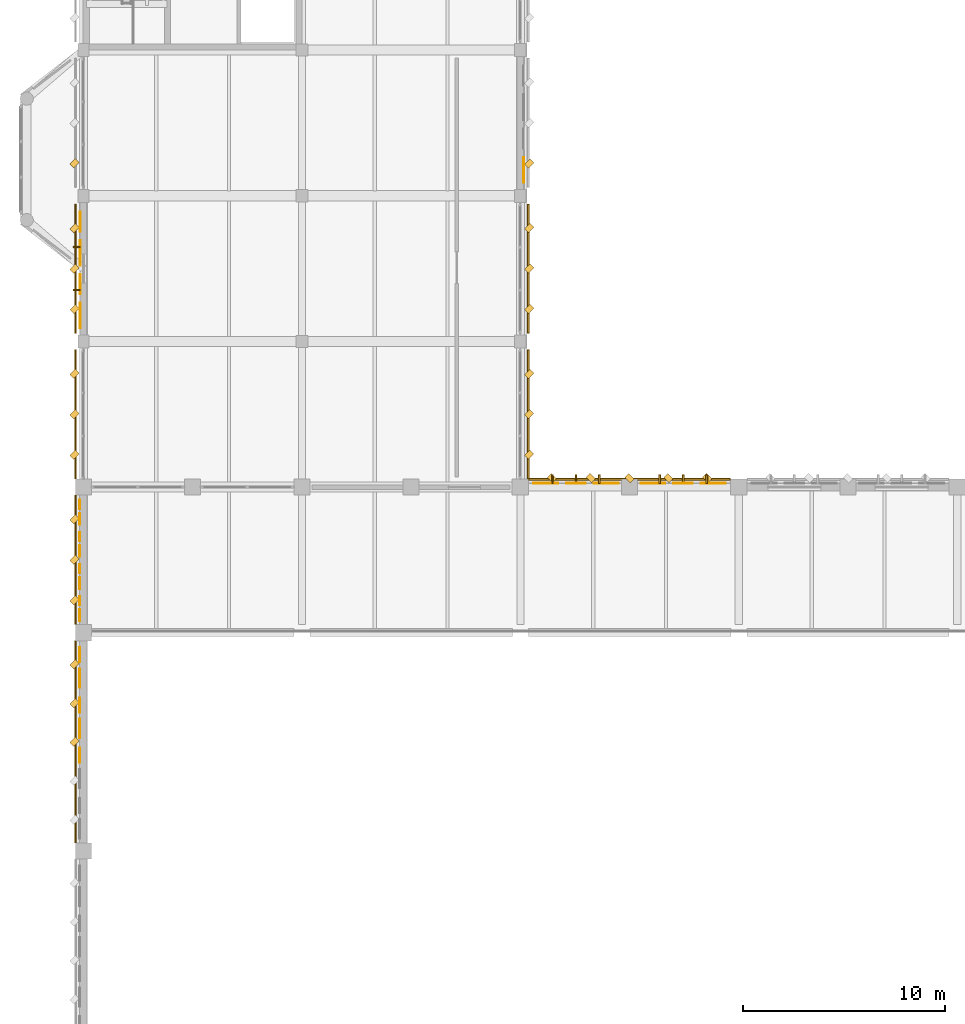
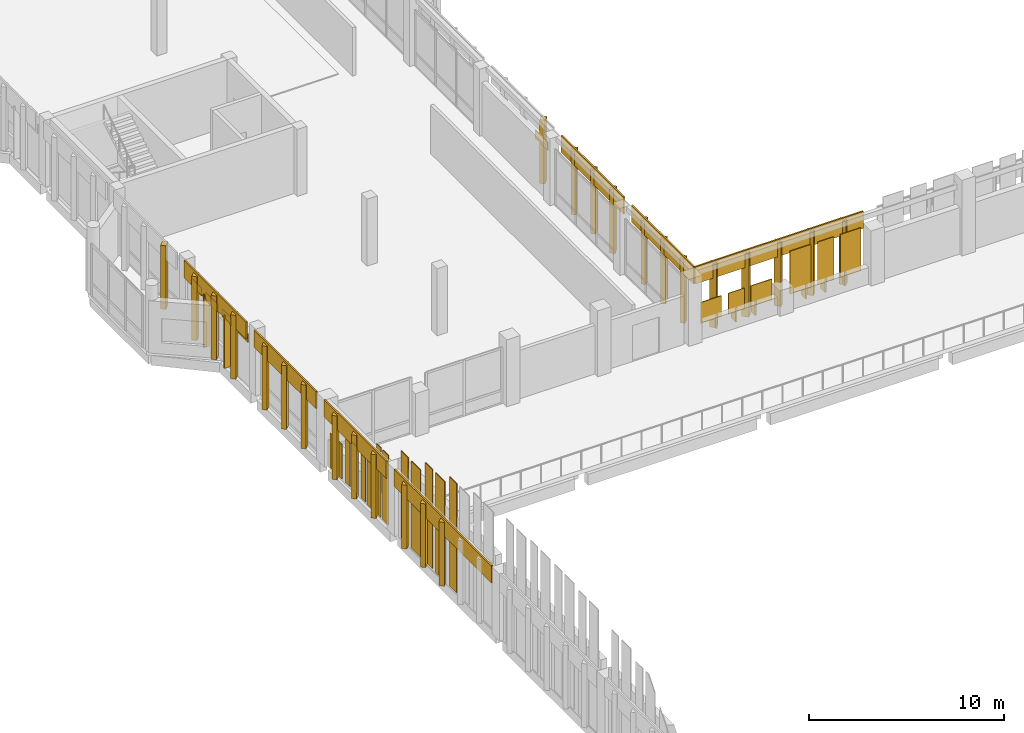
# One storey, part 141 of 158: 64 coverings.
"""IFC4 building model written with IfcOpenShell, lengths in metres."""

from ifc_helpers import new_model, si_unit, direction, frame, origin, origin_2d, place, context, subcontext, project, spatial, rectangle, extrude, material, layer, layer_set, type_object, element, save


model = new_model("IFC4")

# Units and contexts
model_context = context("Model", 3, precision=1e-05, world=origin(), true_north=direction((0.0, 1.0)))
body_context = subcontext(model_context, "Body", "Model", "MODEL_VIEW")
ifc_project = project(units=[si_unit("LENGTHUNIT", "METRE"), si_unit("AREAUNIT", "SQUARE_METRE"), si_unit("VOLUMEUNIT", "CUBIC_METRE"), si_unit("PLANEANGLEUNIT", "RADIAN"), si_unit("MASSUNIT", "GRAM", prefix="KILO")], contexts=[model_context])

# Site, building, storey
site_placement = place(None, origin())
site = spatial("IfcSite", under=ifc_project, at=site_placement, CompositionType="ELEMENT")
building_placement = place(site_placement, origin())
building = spatial("IfcBuilding", under=site, at=building_placement, Name="Lusvemor Sports Hall", CompositionType="ELEMENT")
storey_placement = place(building_placement, frame((0.0, 0.0, 10.800048828125)))
storey = spatial("IfcBuildingStorey", under=building, at=storey_placement, Name="L02", CompositionType="ELEMENT", Elevation=10.800048828125)

# Coverings
ifc_material_1 = material(Name="Emerald polychrome glazed ceramic cladding on Concrete C40/50 backing", Category="concrete")
ifc_layer_1 = layer(ifc_material_1, 0.0458984375)
ifc_layer_set_1 = layer_set([ifc_layer_1], Name="Emerald polychrome glazed ceramic cladding on Concrete C40/50 backing")
covering_type_1 = type_object("IfcCoveringType", Name="CLAD_WAVE_EMERALD", PredefinedType="CLADDING", material=ifc_layer_set_1)
for number, where, z_axis, x_axis, name in (
    (1, (22.856689453125, 46.990478515625, 0.746337890625), (0.0, 0.0, 1.0), (1.0, 0.0, 0.0), "Art Nouveau Patterned Cladding PS-WAVEN-2-1-1"),
    (2, (25.84326171875, 46.990478515625, 0.746337890625), (0.0, 0.0, 1.0), (1.0, 0.0, 0.0), "Art Nouveau Patterned Cladding PS-WAVEN-2-1-3"),
):
    element("IfcCovering", number, at=place(storey_placement, frame(where, z_axis=z_axis, x_axis=x_axis)), inside=storey, type_object=covering_type_1, Name=name, PredefinedType="CLADDING", context=body_context, shape_type="SweptSolid", body=[
        extrude(rectangle(XDim=1.224609375, YDim=0.0458984375, at=origin_2d()), origin(), (0.0, 0.0, 1.0), 1.3056640625),
    ])
for number, where, z_axis, x_axis, name in (
    (3, (28.15673828125, 46.990478515625, 0.7236328125), (0.0, 0.0, 1.0), (1.0, 0.0, 0.0), "Art Nouveau Patterned Cladding PS-WAVEN-2-2-1"),
    (4, (31.143310546875, 46.990478515625, 0.7236328125), (0.0, 0.0, 1.0), (1.0, 0.0, 0.0), "Art Nouveau Patterned Cladding PS-WAVEN-2-2-3"),
):
    element("IfcCovering", number, at=place(storey_placement, frame(where, z_axis=z_axis, x_axis=x_axis)), inside=storey, type_object=covering_type_1, Name=name, PredefinedType="CLADDING", context=body_context, shape_type="SweptSolid", body=[
        extrude(rectangle(XDim=1.224609375, YDim=0.0458984375, at=origin_2d()), origin(), (0.0, 0.0, 1.0), 2.690185546875),
    ])
covering_1_placement = place(storey_placement, frame((-0.1904296875, 34.861083984375, 0.080078125), z_axis=(0.0, 0.0, 1.0), x_axis=(1.0, 0.0, 0.0)))
element("IfcCovering", 5, at=covering_1_placement, inside=storey, type_object=covering_type_1, Name="Art Nouveau Patterned Cladding PS-V1WTY-4-2-1", PredefinedType="CLADDING", context=body_context, shape_type="SweptSolid", body=[
    extrude(rectangle(XDim=0.0458984375, YDim=0.953125, at=origin_2d()), origin(), (0.0, 0.0, 1.0), 6.217041015625),
])
covering_2_placement = place(storey_placement, frame((-0.1904296875, 37.34619140625, 0.080078125), z_axis=(0.0, 0.0, 1.0), x_axis=(1.0, 0.0, 0.0)))
element("IfcCovering", 6, at=covering_2_placement, inside=storey, type_object=covering_type_1, Name="Art Nouveau Patterned Cladding PS-V1WTY-4-3-1", PredefinedType="CLADDING", context=body_context, shape_type="SweptSolid", body=[
    extrude(rectangle(XDim=0.0458984375, YDim=0.953125, at=origin_2d()), origin(), (0.0, 0.0, 1.0), 5.441650390625),
])
covering_3_placement = place(storey_placement, frame((-0.1904296875, 40.46630859375, 0.079833984375), z_axis=(0.0, 0.0, 1.0), x_axis=(1.0, 0.0, 0.0)))
element("IfcCovering", 7, at=covering_3_placement, inside=storey, type_object=covering_type_1, Name="Art Nouveau Patterned Cladding PS-V1WTY-5-0-1", PredefinedType="CLADDING", context=body_context, shape_type="SweptSolid", body=[
    extrude(rectangle(XDim=0.0458984375, YDim=0.584228515625, at=origin_2d()), origin(), (0.0, 0.0, 1.0), 4.35546875),
])
covering_4_placement = place(storey_placement, frame((-0.1904296875, 42.05126953125, 0.080078125), z_axis=(0.0, 0.0, 1.0), x_axis=(1.0, 0.0, 0.0)))
element("IfcCovering", 8, at=covering_4_placement, inside=storey, type_object=covering_type_1, Name="Art Nouveau Patterned Cladding PS-V1WTY-5-1-1", PredefinedType="CLADDING", context=body_context, shape_type="SweptSolid", body=[
    extrude(rectangle(XDim=0.0458984375, YDim=0.584228515625, at=origin_2d()), origin(), (0.0, 0.0, 1.0), 3.677490234375),
])
covering_5_placement = place(storey_placement, frame((-0.1904296875, 43.63623046875, 0.079833984375), z_axis=(0.0, 0.0, 1.0), x_axis=(1.0, 0.0, 0.0)))
element("IfcCovering", 9, at=covering_5_placement, inside=storey, type_object=covering_type_1, Name="Art Nouveau Patterned Cladding PS-V1WTY-5-2-1", PredefinedType="CLADDING", context=body_context, shape_type="SweptSolid", body=[
    extrude(rectangle(XDim=0.0458984375, YDim=0.584228515625, at=origin_2d()), origin(), (0.0, 0.0, 1.0), 2.9404296875),
])
covering_6_placement = place(storey_placement, frame((-0.1904296875, 45.22119140625, 0.080078125), z_axis=(0.0, 0.0, 1.0), x_axis=(1.0, 0.0, 0.0)))
element("IfcCovering", 10, at=covering_6_placement, inside=storey, type_object=covering_type_1, Name="Art Nouveau Patterned Cladding PS-V1WTY-5-3-1", PredefinedType="CLADDING", context=body_context, shape_type="SweptSolid", body=[
    extrude(rectangle(XDim=0.0458984375, YDim=0.584228515625, at=origin_2d()), origin(), (0.0, 0.0, 1.0), 2.144287109375),
])
for number, where, z_axis, x_axis, name in (
    (11, (-0.16552734375, 55.27490234375, 2.7451171875), (0.0, 0.0, 1.0), (1.0, 0.0, 0.0), "Art Nouveau Patterned Cladding PS-EW-L02-W-0-1-1"),
    (12, (-0.16552734375, 58.375, 2.7451171875), (0.0, 0.0, 1.0), (1.0, 0.0, 0.0), "Art Nouveau Patterned Cladding PS-EW-L02-W-0-1-3"),
    (13, (21.765380859375, 62.47509765625, 2.7451171875), (0.0, 0.0, 1.0), (1.0, 0.0, 0.0), "Art Nouveau Patterned Cladding PS-EW-L02-E-5-2-1"),
):
    element("IfcCovering", number, at=place(storey_placement, frame(where, z_axis=z_axis, x_axis=x_axis)), inside=storey, type_object=covering_type_1, Name=name, PredefinedType="CLADDING", context=body_context, shape_type="SweptSolid", body=[
        extrude(rectangle(XDim=0.0458984375, YDim=1.27099609375, at=origin_2d()), origin(), (0.0, 0.0, 1.0), 0.510009765625),
    ])
for number, where, z_axis, x_axis, name in (
    (14, (-0.43994140625, 36.1201171875, 0.099853515625), (0.0, 0.0, 1.0), (0.707106781187, 0.707106781187, 0.0), "Patterned Diamond Cladding Rib 965"),
    (15, (-0.43994140625, 43.199951171875, 0.099853515625), (0.0, 0.0, 1.0), (0.707106781187, 0.707106781187, 0.0), "Patterned Diamond Cladding Rib 977"),
    (16, (-0.43994140625, 50.39990234375, 0.099853515625), (0.0, 0.0, 1.0), (0.707106781187, 0.707106781187, 0.0), "Patterned Diamond Cladding Rib 995"),
    (17, (-0.43994140625, 57.60009765625, 0.099853515625), (0.0, 0.0, 1.0), (0.707106781187, 0.707106781187, 0.0), "Patterned Diamond Cladding Rib 1011"),
    (18, (22.0400390625, 50.39990234375, 0.099853515625), (0.0, 0.0, 1.0), (0.707106781187, 0.707106781187, 0.0), "Patterned Diamond Cladding Rib 1397"),
    (19, (22.0400390625, 57.60009765625, 0.099853515625), (0.0, 0.0, 1.0), (0.707106781187, 0.707106781187, 0.0), "Patterned Diamond Cladding Rib 1409"),
):
    element("IfcCovering", number, at=place(storey_placement, frame(where, z_axis=z_axis, x_axis=x_axis)), inside=storey, type_object=covering_type_1, Name=name, PredefinedType="CLADDING", context=body_context, shape_type="SweptSolid", body=[
        extrude(rectangle(XDim=0.3798828125, YDim=0.280029296875, at=origin_2d()), origin(), (0.0, 0.0, 1.0), 4.0),
    ])
for number, where, z_axis, x_axis, name in (
    (20, (25.080078125, 47.239990234375, 0.099853515625), (0.0, 0.0, 1.0), (0.707106781187, 0.707106781187, 0.0), "Patterned Diamond Cladding Rib 1492"),
    (21, (28.919921875, 47.239990234375, 0.099853515625), (0.0, 0.0, 1.0), (0.707106781187, 0.707106781187, 0.0), "Patterned Diamond Cladding Rib 1494"),
):
    element("IfcCovering", number, at=place(storey_placement, frame(where, z_axis=z_axis, x_axis=x_axis)), inside=storey, type_object=covering_type_1, Name=name, PredefinedType="CLADDING", context=body_context, shape_type="SweptSolid", body=[
        extrude(rectangle(XDim=0.280029296875, YDim=0.3798828125, at=origin_2d()), origin(), (0.0, 0.0, 1.0), 4.0),
    ])
ifc_material_2 = material(Name="Warm terracotta Art Nouveau ceramic cladding on Concrete C40/50 backing", Category="masonry")
ifc_layer_2 = layer(ifc_material_2, 0.0380859375)
ifc_layer_set_2 = layer_set([ifc_layer_2], Name="Warm terracotta Art Nouveau ceramic cladding on Concrete C40/50 backing")
covering_type_2 = type_object("IfcCoveringType", Name="CLAD_WAVE_OCHRE", PredefinedType="CLADDING", material=ifc_layer_set_2)
covering_7_placement = place(storey_placement, frame((24.35009765625, 46.986572265625, 0.746337890625), z_axis=(0.0, 0.0, 1.0), x_axis=(1.0, 0.0, 0.0)))
element("IfcCovering", 22, at=covering_7_placement, inside=storey, type_object=covering_type_2, Name="Art Nouveau Patterned Cladding PS-WAVEN-2-1-2", PredefinedType="CLADDING", context=body_context, shape_type="SweptSolid", body=[
    extrude(rectangle(XDim=0.955810546875, YDim=0.0380859375, at=origin_2d()), origin(), (0.0, 0.0, 1.0), 1.3056640625),
])
covering_8_placement = place(storey_placement, frame((29.64990234375, 46.986572265625, 0.7236328125), z_axis=(0.0, 0.0, 1.0), x_axis=(1.0, 0.0, 0.0)))
element("IfcCovering", 23, at=covering_8_placement, inside=storey, type_object=covering_type_2, Name="Art Nouveau Patterned Cladding PS-WAVEN-2-2-2", PredefinedType="CLADDING", context=body_context, shape_type="SweptSolid", body=[
    extrude(rectangle(XDim=0.955810546875, YDim=0.0380859375, at=origin_2d()), origin(), (0.0, 0.0, 1.0), 2.690185546875),
])
covering_9_placement = place(storey_placement, frame((-0.1865234375, 33.538818359375, 0.080078125), z_axis=(0.0, 0.0, 1.0), x_axis=(1.0, 0.0, 0.0)))
element("IfcCovering", 24, at=covering_9_placement, inside=storey, type_object=covering_type_2, Name="Art Nouveau Patterned Cladding PS-V1WTY-4-1-2", PredefinedType="CLADDING", context=body_context, shape_type="SweptSolid", body=[
    extrude(rectangle(XDim=0.0380859375, YDim=0.743896484375, at=origin_2d()), origin(), (0.0, 0.0, 1.0), 6.847412109375),
])
covering_10_placement = place(storey_placement, frame((-0.1865234375, 36.023681640625, 0.080078125), z_axis=(0.0, 0.0, 1.0), x_axis=(1.0, 0.0, 0.0)))
element("IfcCovering", 25, at=covering_10_placement, inside=storey, type_object=covering_type_2, Name="Art Nouveau Patterned Cladding PS-V1WTY-4-2-2", PredefinedType="CLADDING", context=body_context, shape_type="SweptSolid", body=[
    extrude(rectangle(XDim=0.0380859375, YDim=0.743896484375, at=origin_2d()), origin(), (0.0, 0.0, 1.0), 6.217041015625),
])
covering_11_placement = place(storey_placement, frame((-0.1865234375, 38.5087890625, 0.080078125), z_axis=(0.0, 0.0, 1.0), x_axis=(1.0, 0.0, 0.0)))
element("IfcCovering", 26, at=covering_11_placement, inside=storey, type_object=covering_type_2, Name="Art Nouveau Patterned Cladding PS-V1WTY-4-3-2", PredefinedType="CLADDING", context=body_context, shape_type="SweptSolid", body=[
    extrude(rectangle(XDim=0.0380859375, YDim=0.743896484375, at=origin_2d()), origin(), (0.0, 0.0, 1.0), 5.441650390625),
])
covering_12_placement = place(storey_placement, frame((-0.1865234375, 41.1787109375, 0.079833984375), z_axis=(0.0, 0.0, 1.0), x_axis=(1.0, 0.0, 0.0)))
element("IfcCovering", 27, at=covering_12_placement, inside=storey, type_object=covering_type_2, Name="Art Nouveau Patterned Cladding PS-V1WTY-5-0-2", PredefinedType="CLADDING", context=body_context, shape_type="SweptSolid", body=[
    extrude(rectangle(XDim=0.0380859375, YDim=0.4560546875, at=origin_2d()), origin(), (0.0, 0.0, 1.0), 4.35546875),
])
covering_13_placement = place(storey_placement, frame((-0.1865234375, 42.763916015625, 0.080078125), z_axis=(0.0, 0.0, 1.0), x_axis=(1.0, 0.0, 0.0)))
element("IfcCovering", 28, at=covering_13_placement, inside=storey, type_object=covering_type_2, Name="Art Nouveau Patterned Cladding PS-V1WTY-5-1-2", PredefinedType="CLADDING", context=body_context, shape_type="SweptSolid", body=[
    extrude(rectangle(XDim=0.0380859375, YDim=0.4560546875, at=origin_2d()), origin(), (0.0, 0.0, 1.0), 3.677490234375),
])
covering_14_placement = place(storey_placement, frame((-0.1865234375, 44.3486328125, 0.079833984375), z_axis=(0.0, 0.0, 1.0), x_axis=(1.0, 0.0, 0.0)))
element("IfcCovering", 29, at=covering_14_placement, inside=storey, type_object=covering_type_2, Name="Art Nouveau Patterned Cladding PS-V1WTY-5-2-2", PredefinedType="CLADDING", context=body_context, shape_type="SweptSolid", body=[
    extrude(rectangle(XDim=0.0380859375, YDim=0.4560546875, at=origin_2d()), origin(), (0.0, 0.0, 1.0), 2.9404296875),
])
covering_15_placement = place(storey_placement, frame((-0.1865234375, 45.93359375, 0.080078125), z_axis=(0.0, 0.0, 1.0), x_axis=(1.0, 0.0, 0.0)))
element("IfcCovering", 30, at=covering_15_placement, inside=storey, type_object=covering_type_2, Name="Art Nouveau Patterned Cladding PS-V1WTY-5-3-2", PredefinedType="CLADDING", context=body_context, shape_type="SweptSolid", body=[
    extrude(rectangle(XDim=0.0380859375, YDim=0.4560546875, at=origin_2d()), origin(), (0.0, 0.0, 1.0), 2.144287109375),
])
for number, where, z_axis, x_axis, name in (
    (31, (-0.16162109375, 56.824951171875, 2.7451171875), (0.0, 0.0, 1.0), (1.0, 0.0, 0.0), "Art Nouveau Patterned Cladding PS-EW-L02-W-0-1-2"),
    (32, (-0.16162109375, 59.925048828125, 2.7451171875), (0.0, 0.0, 1.0), (1.0, 0.0, 0.0), "Art Nouveau Patterned Cladding PS-EW-L02-W-0-1-4"),
):
    element("IfcCovering", number, at=place(storey_placement, frame(where, z_axis=z_axis, x_axis=x_axis)), inside=storey, type_object=covering_type_2, Name=name, PredefinedType="CLADDING", context=body_context, shape_type="SweptSolid", body=[
        extrude(rectangle(XDim=0.0380859375, YDim=0.991943359375, at=origin_2d()), origin(), (0.0, 0.0, 1.0), 0.510009765625),
    ])
covering_16_placement = place(storey_placement, frame((-0.389892578125, 34.199951171875, 3.179931640625), z_axis=(0.0, 0.0, 1.0), x_axis=(1.0, 0.0, 0.0)))
element("IfcCovering", 33, at=covering_16_placement, inside=storey, type_object=covering_type_2, Name="Art Nouveau Spandrel Cornice 961", PredefinedType="CLADDING", context=body_context, shape_type="SweptSolid", body=[
    extrude(rectangle(XDim=0.090087890625, YDim=9.97998046875, at=origin_2d()), origin(), (0.0, 0.0, 1.0), 1.080078125),
])
for number, where, z_axis, x_axis, name in (
    (34, (-0.389892578125, 43.199951171875, 3.179931640625), (0.0, 0.0, 1.0), (1.0, 0.0, 0.0), "Art Nouveau Spandrel Cornice 975"),
    (35, (-0.389892578125, 50.39990234375, 3.179931640625), (0.0, 0.0, 1.0), (1.0, 0.0, 0.0), "Art Nouveau Spandrel Cornice 993"),
    (36, (-0.389892578125, 57.60009765625, 3.179931640625), (0.0, 0.0, 1.0), (1.0, 0.0, 0.0), "Art Nouveau Spandrel Cornice 1009"),
    (37, (21.989990234375, 50.39990234375, 3.179931640625), (0.0, 0.0, 1.0), (1.0, 0.0, 0.0), "Art Nouveau Spandrel Cornice 1395"),
    (38, (21.989990234375, 57.60009765625, 3.179931640625), (0.0, 0.0, 1.0), (1.0, 0.0, 0.0), "Art Nouveau Spandrel Cornice 1407"),
):
    element("IfcCovering", number, at=place(storey_placement, frame(where, z_axis=z_axis, x_axis=x_axis)), inside=storey, type_object=covering_type_2, Name=name, PredefinedType="CLADDING", context=body_context, shape_type="SweptSolid", body=[
        extrude(rectangle(XDim=0.090087890625, YDim=6.3798828125, at=origin_2d()), origin(), (0.0, 0.0, 1.0), 1.080078125),
    ])
covering_17_placement = place(storey_placement, frame((27.0, 47.18994140625, 3.179931640625), z_axis=(0.0, 0.0, 1.0), x_axis=(1.0, 0.0, 0.0)))
element("IfcCovering", 39, at=covering_17_placement, inside=storey, type_object=covering_type_2, Name="Art Nouveau Spandrel Cornice 1490", PredefinedType="CLADDING", context=body_context, shape_type="SweptSolid", body=[
    extrude(rectangle(XDim=9.97998046875, YDim=0.090087890625, at=origin_2d()), origin(), (0.0, 0.0, 1.0), 1.080078125),
])
ifc_material_3 = material(Name="Emerald polychrome glazed ceramic cladding on Concrete C40/50 backing", Category="concrete")
ifc_layer_3 = layer(ifc_material_3, 0.35009765625)
ifc_layer_set_3 = layer_set([ifc_layer_3], Name="Emerald polychrome glazed ceramic cladding on Concrete C40/50 backing")
covering_type_3 = type_object("IfcCoveringType", Name="FIN_BRISE_CER_350", PredefinedType="MOLDING", material=ifc_layer_set_3)
for number, where, z_axis, x_axis, name in (
    (40, (-0.327392578125, 56.5400390625, 0.10009765625), (0.0, 0.0, 1.0), (1.0, 0.0, 0.0), "Wing Brise-Soleil Fin L02-W-0-1-1"),
    (41, (-0.327392578125, 58.659912109375, 0.10009765625), (0.0, 0.0, 1.0), (1.0, 0.0, 0.0), "Wing Brise-Soleil Fin L02-W-0-1-2"),
):
    element("IfcCovering", number, at=place(storey_placement, frame(where, z_axis=z_axis, x_axis=x_axis)), inside=storey, type_object=covering_type_3, Name=name, PredefinedType="MOLDING", context=body_context, shape_type="SweptSolid", body=[
        extrude(rectangle(XDim=0.35009765625, YDim=0.080078125, at=origin_2d()), origin(), (0.0, 0.0, 1.0), 3.320068359375),
    ])
ifc_material_4 = material(Name="Warm terracotta Art Nouveau ceramic cladding on Concrete C40/50 backing", Category="masonry")
ifc_layer_4 = layer(ifc_material_4, 0.449951171875)
ifc_layer_set_4 = layer_set([ifc_layer_4], Name="Warm terracotta Art Nouveau ceramic cladding on Concrete C40/50 backing")
covering_type_4 = type_object("IfcCoveringType", Name="FIN_BRISE_CER_450", PredefinedType="MOLDING", material=ifc_layer_set_4)
for number, where, z_axis, x_axis, name in (
    (42, (23.18994140625, 47.18994140625, 0.099853515625), (0.0, 0.0, 1.0), (1.0, 0.0, 0.0), "Coastal Ceramic Brise-Soleil Fin N-2.1.1"),
    (43, (24.35009765625, 47.18994140625, 0.099853515625), (0.0, 0.0, 1.0), (1.0, 0.0, 0.0), "Coastal Ceramic Brise-Soleil Fin N-2.1.2"),
    (44, (25.510009765625, 47.18994140625, 0.099853515625), (0.0, 0.0, 1.0), (1.0, 0.0, 0.0), "Coastal Ceramic Brise-Soleil Fin N-2.1.3"),
):
    element("IfcCovering", number, at=place(storey_placement, frame(where, z_axis=z_axis, x_axis=x_axis)), inside=storey, type_object=covering_type_4, Name=name, PredefinedType="MOLDING", context=body_context, shape_type="SweptSolid", body=[
        extrude(rectangle(XDim=0.090087890625, YDim=0.449951171875, at=origin_2d()), origin(), (0.0, 0.0, 1.0), 0.91650390625),
    ])
for number, where, z_axis, x_axis, name in (
    (45, (28.489990234375, 47.18994140625, 0.099853515625), (0.0, 0.0, 1.0), (1.0, 0.0, 0.0), "Coastal Ceramic Brise-Soleil Fin N-2.2.1"),
    (46, (29.64990234375, 47.18994140625, 0.099853515625), (0.0, 0.0, 1.0), (1.0, 0.0, 0.0), "Coastal Ceramic Brise-Soleil Fin N-2.2.2"),
    (47, (30.81005859375, 47.18994140625, 0.099853515625), (0.0, 0.0, 1.0), (1.0, 0.0, 0.0), "Coastal Ceramic Brise-Soleil Fin N-2.2.3"),
):
    element("IfcCovering", number, at=place(storey_placement, frame(where, z_axis=z_axis, x_axis=x_axis)), inside=storey, type_object=covering_type_4, Name=name, PredefinedType="MOLDING", context=body_context, shape_type="SweptSolid", body=[
        extrude(rectangle(XDim=0.090087890625, YDim=0.449951171875, at=origin_2d()), origin(), (0.0, 0.0, 1.0), 0.89404296875),
    ])
for number, where, z_axis, x_axis, name in (
    (48, (-0.43994140625, 34.199951171875, 0.099853515625), (0.0, 0.0, 1.0), (0.707106781187, 0.707106781187, 0.0), "Patterned Diamond Cladding Rib 964"),
    (49, (-0.43994140625, 38.0400390625, 0.099853515625), (0.0, 0.0, 1.0), (0.707106781187, 0.707106781187, 0.0), "Patterned Diamond Cladding Rib 966"),
    (50, (-0.43994140625, 41.199951171875, 0.099853515625), (0.0, 0.0, 1.0), (0.707106781187, 0.707106781187, 0.0), "Patterned Diamond Cladding Rib 976"),
    (51, (-0.43994140625, 45.199951171875, 0.099853515625), (0.0, 0.0, 1.0), (0.707106781187, 0.707106781187, 0.0), "Patterned Diamond Cladding Rib 978"),
    (52, (-0.43994140625, 48.39990234375, 0.099853515625), (0.0, 0.0, 1.0), (0.707106781187, 0.707106781187, 0.0), "Patterned Diamond Cladding Rib 994"),
    (53, (-0.43994140625, 52.39990234375, 0.099853515625), (0.0, 0.0, 1.0), (0.707106781187, 0.707106781187, 0.0), "Patterned Diamond Cladding Rib 996"),
    (54, (-0.43994140625, 55.60009765625, 0.099853515625), (0.0, 0.0, 1.0), (0.707106781187, 0.707106781187, 0.0), "Patterned Diamond Cladding Rib 1010"),
    (55, (-0.43994140625, 59.60009765625, 0.099853515625), (0.0, 0.0, 1.0), (0.707106781187, 0.707106781187, 0.0), "Patterned Diamond Cladding Rib 1012"),
    (56, (-0.43994140625, 62.800048828125, 0.099853515625), (0.0, 0.0, 1.0), (0.707106781187, 0.707106781187, 0.0), "Patterned Diamond Cladding Rib 1026"),
    (57, (22.0400390625, 48.39990234375, 0.099853515625), (0.0, 0.0, 1.0), (0.707106781187, 0.707106781187, 0.0), "Patterned Diamond Cladding Rib 1396"),
    (58, (22.0400390625, 52.39990234375, 0.099853515625), (0.0, 0.0, 1.0), (0.707106781187, 0.707106781187, 0.0), "Patterned Diamond Cladding Rib 1398"),
    (59, (22.0400390625, 55.60009765625, 0.099853515625), (0.0, 0.0, 1.0), (0.707106781187, 0.707106781187, 0.0), "Patterned Diamond Cladding Rib 1408"),
    (60, (22.0400390625, 59.60009765625, 0.099853515625), (0.0, 0.0, 1.0), (0.707106781187, 0.707106781187, 0.0), "Patterned Diamond Cladding Rib 1410"),
    (61, (22.0400390625, 62.800048828125, 0.099853515625), (0.0, 0.0, 1.0), (0.707106781187, 0.707106781187, 0.0), "Patterned Diamond Cladding Rib 1420"),
):
    element("IfcCovering", number, at=place(storey_placement, frame(where, z_axis=z_axis, x_axis=x_axis)), inside=storey, type_object=covering_type_4, Name=name, PredefinedType="MOLDING", context=body_context, shape_type="SweptSolid", body=[
        extrude(rectangle(XDim=0.3798828125, YDim=0.280029296875, at=origin_2d()), origin(), (0.0, 0.0, 1.0), 4.0),
    ])
for number, where, z_axis, x_axis, name in (
    (62, (23.159912109375, 47.239990234375, 0.099853515625), (0.0, 0.0, 1.0), (0.707106781187, 0.707106781187, 0.0), "Patterned Diamond Cladding Rib 1491"),
    (63, (27.0, 47.239990234375, 0.099853515625), (0.0, 0.0, 1.0), (0.707106781187, 0.707106781187, 0.0), "Patterned Diamond Cladding Rib 1493"),
    (64, (30.840087890625, 47.239990234375, 0.099853515625), (0.0, 0.0, 1.0), (0.707106781187, 0.707106781187, 0.0), "Patterned Diamond Cladding Rib 1495"),
):
    element("IfcCovering", number, at=place(storey_placement, frame(where, z_axis=z_axis, x_axis=x_axis)), inside=storey, type_object=covering_type_4, Name=name, PredefinedType="MOLDING", context=body_context, shape_type="SweptSolid", body=[
        extrude(rectangle(XDim=0.280029296875, YDim=0.3798828125, at=origin_2d()), origin(), (0.0, 0.0, 1.0), 4.0),
    ])

save(model, "model.ifc")
